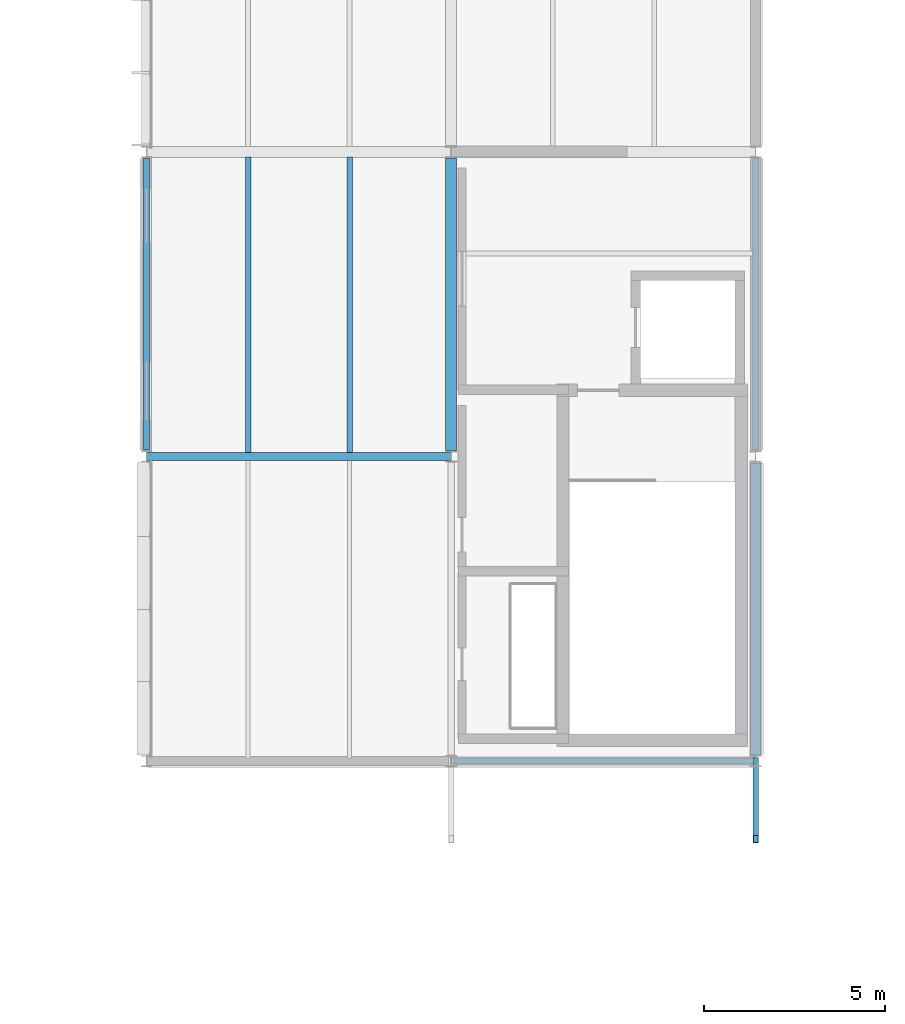
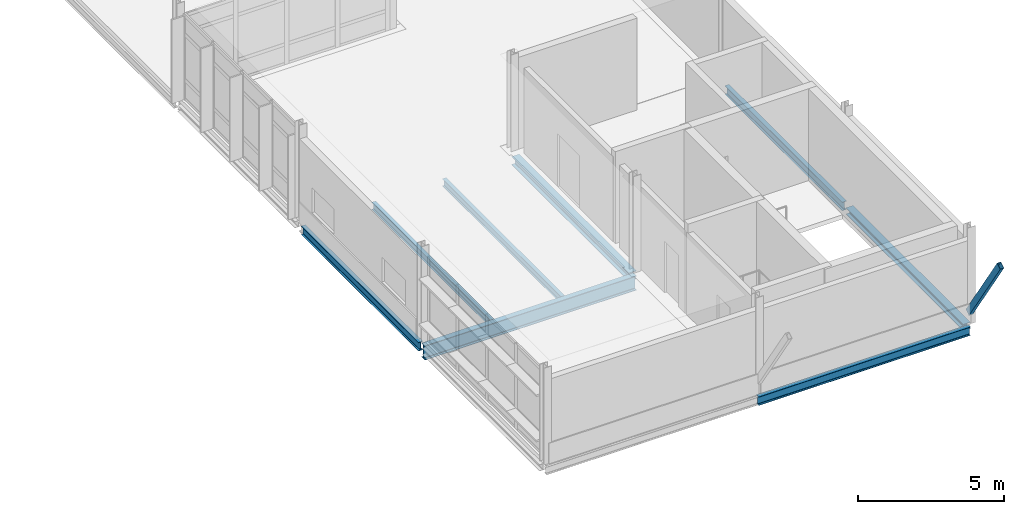
# One storey, part 29 of 66: 8 beams, 1 member.
"""IFC4 building model written with IfcOpenShell, lengths in metres."""

from ifc_helpers import new_model, si_unit, direction, frame, origin, origin_2d, place, context, subcontext, project, spatial, hollow_rectangle, i_section, extrude, material, material_profile, profile_set, type_object, element, save


model = new_model("IFC4")

# Units and contexts
model_context = context("Model", 3, precision=1e-05, world=origin(), true_north=direction((0.0, 1.0)))
body_context = subcontext(model_context, "Body", "Model", "MODEL_VIEW")
ifc_project = project(units=[si_unit("LENGTHUNIT", "METRE"), si_unit("AREAUNIT", "SQUARE_METRE"), si_unit("VOLUMEUNIT", "CUBIC_METRE"), si_unit("PLANEANGLEUNIT", "RADIAN"), si_unit("MASSUNIT", "GRAM", prefix="KILO")], contexts=[model_context])

# Site, building, storey
site_placement = place(None, origin())
site = spatial("IfcSite", under=ifc_project, at=site_placement, CompositionType="ELEMENT")
building_placement = place(site_placement, origin())
building = spatial("IfcBuilding", under=site, at=building_placement, Name="Mersafa Astral City Hall", CompositionType="ELEMENT")
storey_placement = place(building_placement, frame((0.0, 0.0, 22.050048828125)))
storey = spatial("IfcBuildingStorey", under=building, at=storey_placement, Name="L05", CompositionType="ELEMENT", Elevation=22.050048828125)

# Beams
ifc_material = material(Name="Steel S355", Category="steel")
ifc_material_profile_1 = material_profile(ifc_material, i_section(OverallWidth=0.300048828125, OverallDepth=0.35009765625, WebThickness=0.010009765625, FlangeThickness=0.017578125, FilletRadius=0.027099609375, at=origin_2d()), Name="HEA 360")
ifc_profile_set_1 = profile_set([ifc_material_profile_1], Name="Steel S355")
beam_type_1 = type_object("IfcBeamType", Name="STR-BM-HEA360", PredefinedType="BEAM", material=ifc_profile_set_1)
beam_1_placement = place(storey_placement, frame((168.0, 58.965087890625, -0.35498046875), z_axis=(0.0, 1.0, 0.0), x_axis=(-1.0, 0.0, 0.0)))
element("IfcBeam", 1, at=beam_1_placement, inside=storey, type_object=beam_type_1, Name="L05 Primary girder Y 20-7", PredefinedType="BEAM", context=body_context, shape_type="SweptSolid", body=[
    extrude(i_section(OverallWidth=0.300048828125, OverallDepth=0.35009765625, WebThickness=0.010009765625, FlangeThickness=0.017578125, FilletRadius=0.027099609375, at=origin_2d()), origin(), (0.0, 0.0, 1.0), 8.059814453125),
])
ifc_material_profile_2 = material_profile(ifc_material, i_section(OverallWidth=0.219970703125, OverallDepth=0.60009765625, WebThickness=0.011962890625, FlangeThickness=0.01904296875, FilletRadius=0.02392578125, at=origin_2d()), Name="IPE 600")
ifc_profile_set_2 = profile_set([ifc_material_profile_2], Name="Steel S355")
beam_type_2 = type_object("IfcBeamType", Name="STR-BM-IPE600", PredefinedType="BEAM", material=ifc_profile_set_2)
beam_2_placement = place(storey_placement, frame((159.60302734375, 58.800048828125, -0.47998046875), z_axis=(1.0, 0.0, 0.0), x_axis=(0.0, 1.0, 0.0)))
element("IfcBeam", 2, at=beam_2_placement, inside=storey, type_object=beam_type_2, Name="L05 Primary girder X 19-7", PredefinedType="BEAM", context=body_context, shape_type="SweptSolid", body=[
    extrude(i_section(OverallWidth=0.219970703125, OverallDepth=0.60009765625, WebThickness=0.011962890625, FlangeThickness=0.01904296875, FilletRadius=0.02392578125, at=origin_2d()), origin(), (0.0, 0.0, 1.0), 8.39404296875),
])
ifc_material_profile_3 = material_profile(ifc_material, i_section(OverallWidth=0.14990234375, OverallDepth=0.300048828125, WebThickness=0.007080078125, FlangeThickness=0.0107421875, FilletRadius=0.014892578125, at=origin_2d()), Name="IPE 300")
ifc_profile_set_3 = profile_set([ifc_material_profile_3], Name="Steel S355")
beam_type_3 = type_object("IfcBeamType", Name="STR-BM-JOIST-IPE300", PredefinedType="JOIST", material=ifc_profile_set_3)
for number, where, z_axis, x_axis, name in (
    (3, (162.39990234375, 58.905029296875, -0.330078125), (0.0, 1.0, 0.0), (-1.0, 0.0, 0.0), "L05 Composite secondary floor joist 819"),
    (4, (165.199951171875, 58.905029296875, -0.330078125), (0.0, 1.0, 0.0), (-1.0, 0.0, 0.0), "L05 Composite secondary floor joist 820"),
):
    element("IfcBeam", number, at=place(storey_placement, frame(where, z_axis=z_axis, x_axis=x_axis)), inside=storey, type_object=beam_type_3, Name=name, PredefinedType="JOIST", context=body_context, shape_type="SweptSolid", body=[
        extrude(i_section(OverallWidth=0.14990234375, OverallDepth=0.300048828125, WebThickness=0.007080078125, FlangeThickness=0.0107421875, FilletRadius=0.014892578125, at=origin_2d()), origin(), (0.0, 0.0, 1.0), 8.14990234375),
    ])
ifc_material_profile_4 = material_profile(ifc_material, i_section(OverallWidth=0.280029296875, OverallDepth=0.27001953125, WebThickness=0.008056640625, FlangeThickness=0.012939453125, FilletRadius=0.02392578125, at=origin_2d()), Name="HEA 280")
ifc_profile_set_4 = profile_set([ifc_material_profile_4], Name="Steel S355")
beam_type_4 = type_object("IfcBeamType", Name="STR-BM-SPANDREL-HEA280", PredefinedType="SPANDREL", material=ifc_profile_set_4)
beam_3_placement = place(storey_placement, frame((176.39990234375, 50.56494140625, -0.31494140625), z_axis=(0.0, 1.0, 0.0), x_axis=(-1.0, 0.0, 0.0)))
element("IfcBeam", 5, at=beam_3_placement, inside=storey, type_object=beam_type_4, Name="L05 Primary girder Y 21-6", PredefinedType="SPANDREL", context=body_context, shape_type="SweptSolid", body=[
    extrude(i_section(OverallWidth=0.280029296875, OverallDepth=0.27001953125, WebThickness=0.008056640625, FlangeThickness=0.012939453125, FilletRadius=0.02392578125, at=origin_2d()), origin(), (0.0, 0.0, 1.0), 8.06005859375),
])
ifc_material_profile_5 = material_profile(ifc_material, i_section(OverallWidth=0.169921875, OverallDepth=0.360107421875, WebThickness=0.008056640625, FlangeThickness=0.0126953125, FilletRadius=0.01806640625, at=origin_2d()), Name="IPE 360")
ifc_profile_set_5 = profile_set([ifc_material_profile_5], Name="Steel S355")
beam_type_5 = type_object("IfcBeamType", Name="STR-BM-SPANDREL-IPE360", PredefinedType="SPANDREL", material=ifc_profile_set_5)
beam_4_placement = place(storey_placement, frame((168.0029296875, 50.39990234375, -0.360107421875), z_axis=(1.0, 0.0, 0.0), x_axis=(0.0, 1.0, 0.0)))
element("IfcBeam", 6, at=beam_4_placement, inside=storey, type_object=beam_type_5, Name="L05 Primary girder X 20-6", PredefinedType="SPANDREL", context=body_context, shape_type="SweptSolid", body=[
    extrude(i_section(OverallWidth=0.169921875, OverallDepth=0.360107421875, WebThickness=0.008056640625, FlangeThickness=0.0126953125, FilletRadius=0.01806640625, at=origin_2d()), origin(), (0.0, 0.0, 1.0), 8.39404296875),
])
for number, where, z_axis, x_axis, name in (
    (7, (159.60009765625, 58.97509765625, -0.360107421875), (0.0, 1.0, 0.0), (-1.0, 0.0, 0.0), "L05 Primary girder Y 19-7"),
    (8, (176.39990234375, 58.97509765625, -0.360107421875), (0.0, 1.0, 0.0), (-1.0, 0.0, 0.0), "L05 Primary girder Y 21-7"),
):
    element("IfcBeam", number, at=place(storey_placement, frame(where, z_axis=z_axis, x_axis=x_axis)), inside=storey, type_object=beam_type_5, Name=name, PredefinedType="SPANDREL", context=body_context, shape_type="SweptSolid", body=[
        extrude(i_section(OverallWidth=0.169921875, OverallDepth=0.360107421875, WebThickness=0.008056640625, FlangeThickness=0.0126953125, FilletRadius=0.01806640625, at=origin_2d()), origin(), (0.0, 0.0, 1.0), 8.059814453125),
    ])

# Member
ifc_material_profile_6 = material_profile(ifc_material, hollow_rectangle(XDim=0.14990234375, YDim=0.25, WallThickness=0.010009765625, at=origin_2d()), Name="RHS 150x250x10")
ifc_profile_set_6 = profile_set([ifc_material_profile_6], Name="Steel S355")
member_type = type_object("IfcMemberType", Name="STR-MBR-STRUT-RHS150X250", PredefinedType="BRACE", material=ifc_profile_set_6)
member_placement = place(storey_placement, frame((176.39990234375, 50.39990234375, 0.39990234375), z_axis=(0.0, -0.552902229166, 0.833246137095), x_axis=(1.0, 0.0, 0.0)))
element("IfcMember", 9, at=member_placement, inside=storey, type_object=member_type, Name="L05 Raked cosmic eave strut ROOF-T4B-V5 S-21", PredefinedType="BRACE", context=body_context, shape_type="SweptSolid", body=[
    extrude(hollow_rectangle(XDim=0.14990234375, YDim=0.25, WallThickness=0.010009765625, at=origin_2d()), origin(), (0.0, 0.0, 1.0), 3.888427734375),
])

save(model, "model.ifc")
